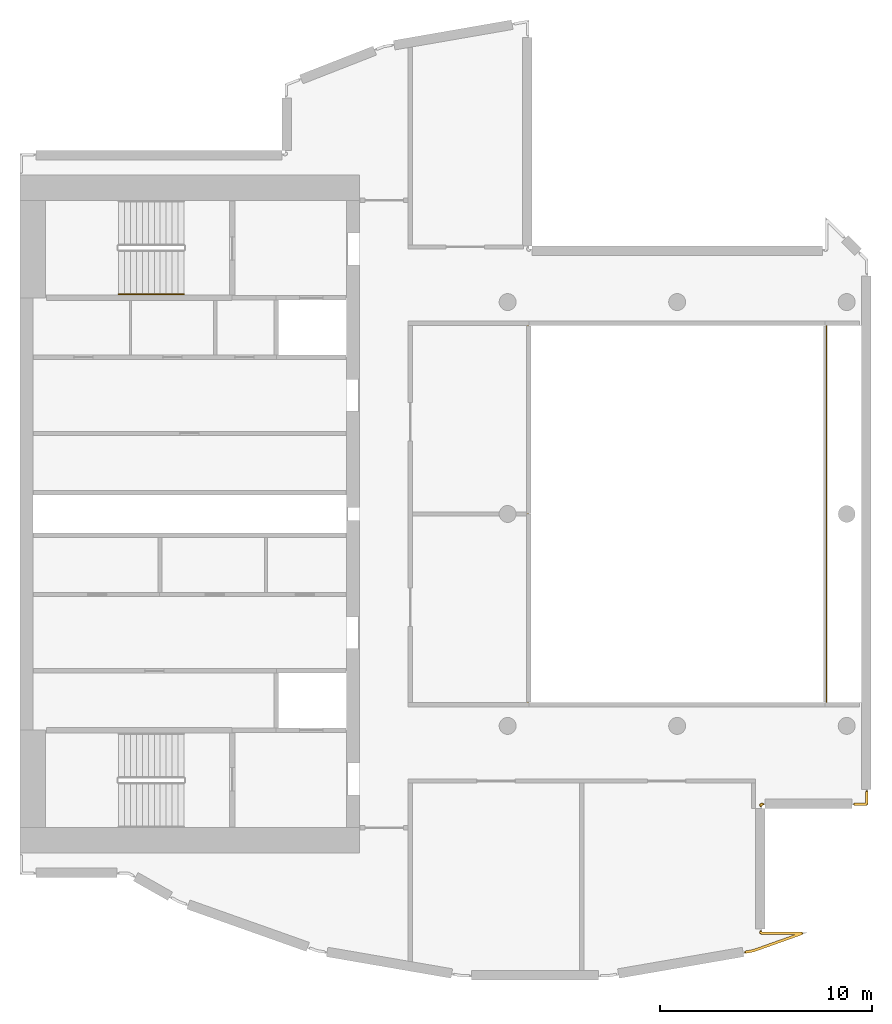
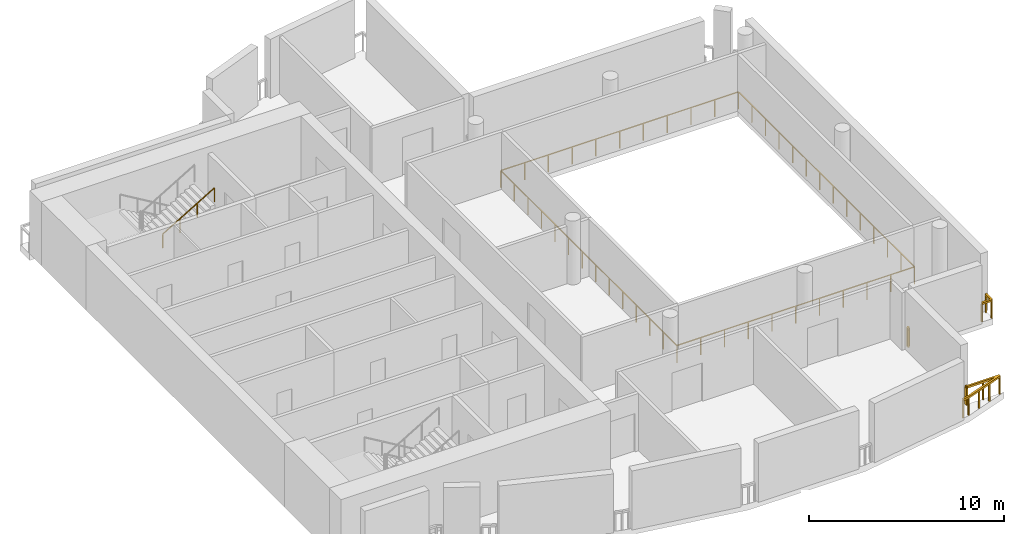
# One storey, part 6 of 8: 5 railings.
"""IFC4 building model written with IfcOpenShell, lengths in metres."""

from ifc_helpers import new_model, si_unit, direction, frame, origin, origin_2d, place, context, subcontext, project, spatial, rectangle, extrude, material, type_object, element, save


model = new_model("IFC4")

# Units and contexts
model_context = context("Model", 3, precision=1e-05, world=origin(), true_north=direction((0.0, 1.0)))
body_context = subcontext(model_context, "Body", "Model", "MODEL_VIEW")
ifc_project = project(units=[si_unit("LENGTHUNIT", "METRE"), si_unit("AREAUNIT", "SQUARE_METRE"), si_unit("VOLUMEUNIT", "CUBIC_METRE"), si_unit("PLANEANGLEUNIT", "RADIAN"), si_unit("MASSUNIT", "GRAM", prefix="KILO")], contexts=[model_context])

# Site, building, storey
site_placement = place(None, origin())
site = spatial("IfcSite", under=ifc_project, at=site_placement, CompositionType="ELEMENT")
building_placement = place(site_placement, origin())
building = spatial("IfcBuilding", under=site, at=building_placement, Name="Cypress Arch Tower", CompositionType="ELEMENT")
storey_placement = place(building_placement, frame((0.0, 0.0, 347.0)))
storey = spatial("IfcBuildingStorey", under=building, at=storey_placement, Name="L79", CompositionType="ELEMENT", Elevation=347.0)

# Railings
ifc_material_1 = material(Name="Stainless steel posts and handrail, laminated glass infill", Category="steel")
railing_type_1 = type_object("IfcRailingType", Name="Atrium guard GR1100A", PredefinedType="GUARDRAIL", material=ifc_material_1)
railing_1_placement = place(storey_placement, frame((8.050048828125, -9.050048828125, 0.0)))
element("IfcRailing", 1, at=railing_1_placement, inside=storey, type_object=railing_type_1, Name="Atrium guard L79", PredefinedType="GUARDRAIL", context=body_context, shape_type="SweptSolid", body=[
    extrude(rectangle(XDim=0.050048828125, YDim=0.050048828125, at=origin_2d()), frame((0.0, 0.0, 1.0751953125), z_axis=(-1.0, 0.0, 0.0), x_axis=(0.0, -1.0, 0.0)), (0.0, 0.0, 1.0), 14.10009765625),
    extrude(rectangle(XDim=0.050048828125, YDim=0.050048828125, at=origin_2d()), frame((-14.10009765625, 0.0, 1.0751953125), z_axis=(0.0, 1.0, 0.0), x_axis=(-1.0, 0.0, 0.0)), (0.0, 0.0, 1.0), 18.10009765625),
    extrude(rectangle(XDim=0.050048828125, YDim=0.050048828125, at=origin_2d()), frame((-14.10009765625, 18.10009765625, 1.0751953125), z_axis=(1.0, 0.0, 0.0), x_axis=(0.0, 1.0, 0.0)), (0.0, 0.0, 1.0), 14.10009765625),
    extrude(rectangle(XDim=0.050048828125, YDim=0.050048828125, at=origin_2d()), frame((0.0, 18.10009765625, 1.0751953125), z_axis=(0.0, -1.0, 0.0), x_axis=(1.0, 0.0, 0.0)), (0.0, 0.0, 1.0), 18.10009765625),
    extrude(rectangle(XDim=0.050048828125, YDim=0.050048828125, at=origin_2d()), origin(), (0.0, 0.0, 1.0), 1.050048828125),
    extrude(rectangle(XDim=0.050048828125, YDim=0.050048828125, at=origin_2d()), frame((-1.409912109375, 0.0, 0.0)), (0.0, 0.0, 1.0), 1.050048828125),
    extrude(rectangle(XDim=0.050048828125, YDim=0.050048828125, at=origin_2d()), frame((-2.820068359375, 0.0, 0.0)), (0.0, 0.0, 1.0), 1.050048828125),
    extrude(rectangle(XDim=0.050048828125, YDim=0.050048828125, at=origin_2d()), frame((-4.22998046875, 0.0, 0.0)), (0.0, 0.0, 1.0), 1.050048828125),
    extrude(rectangle(XDim=0.050048828125, YDim=0.050048828125, at=origin_2d()), frame((-5.64013671875, 0.0, 0.0)), (0.0, 0.0, 1.0), 1.050048828125),
    extrude(rectangle(XDim=0.050048828125, YDim=0.050048828125, at=origin_2d()), frame((-7.050048828125, 0.0, 0.0)), (0.0, 0.0, 1.0), 1.050048828125),
    extrude(rectangle(XDim=0.050048828125, YDim=0.050048828125, at=origin_2d()), frame((-8.4599609375, 0.0, 0.0)), (0.0, 0.0, 1.0), 1.050048828125),
    extrude(rectangle(XDim=0.050048828125, YDim=0.050048828125, at=origin_2d()), frame((-9.8701171875, 0.0, 0.0)), (0.0, 0.0, 1.0), 1.050048828125),
    extrude(rectangle(XDim=0.050048828125, YDim=0.050048828125, at=origin_2d()), frame((-11.280029296875, 0.0, 0.0)), (0.0, 0.0, 1.0), 1.050048828125),
    extrude(rectangle(XDim=0.050048828125, YDim=0.050048828125, at=origin_2d()), frame((-12.690185546875, 0.0, 0.0)), (0.0, 0.0, 1.0), 1.050048828125),
    extrude(rectangle(XDim=0.050048828125, YDim=0.050048828125, at=origin_2d()), frame((-14.10009765625, 0.0, 0.0)), (0.0, 0.0, 1.0), 1.050048828125),
    extrude(rectangle(XDim=0.050048828125, YDim=0.050048828125, at=origin_2d()), frame((-14.10009765625, 1.392333984375, 0.0)), (0.0, 0.0, 1.0), 1.050048828125),
    extrude(rectangle(XDim=0.050048828125, YDim=0.050048828125, at=origin_2d()), frame((-14.10009765625, 2.78466796875, 0.0)), (0.0, 0.0, 1.0), 1.050048828125),
    extrude(rectangle(XDim=0.050048828125, YDim=0.050048828125, at=origin_2d()), frame((-14.10009765625, 4.177001953125, 0.0)), (0.0, 0.0, 1.0), 1.050048828125),
    extrude(rectangle(XDim=0.050048828125, YDim=0.050048828125, at=origin_2d()), frame((-14.10009765625, 5.5693359375, 0.0)), (0.0, 0.0, 1.0), 1.050048828125),
    extrude(rectangle(XDim=0.050048828125, YDim=0.050048828125, at=origin_2d()), frame((-14.10009765625, 6.961669921875, 0.0)), (0.0, 0.0, 1.0), 1.050048828125),
    extrude(rectangle(XDim=0.050048828125, YDim=0.050048828125, at=origin_2d()), frame((-14.10009765625, 8.35400390625, 0.0)), (0.0, 0.0, 1.0), 1.050048828125),
    extrude(rectangle(XDim=0.050048828125, YDim=0.050048828125, at=origin_2d()), frame((-14.10009765625, 9.74609375, 0.0)), (0.0, 0.0, 1.0), 1.050048828125),
    extrude(rectangle(XDim=0.050048828125, YDim=0.050048828125, at=origin_2d()), frame((-14.10009765625, 11.138427734375, 0.0)), (0.0, 0.0, 1.0), 1.050048828125),
    extrude(rectangle(XDim=0.050048828125, YDim=0.050048828125, at=origin_2d()), frame((-14.10009765625, 12.53076171875, 0.0)), (0.0, 0.0, 1.0), 1.050048828125),
    extrude(rectangle(XDim=0.050048828125, YDim=0.050048828125, at=origin_2d()), frame((-14.10009765625, 13.923095703125, 0.0)), (0.0, 0.0, 1.0), 1.050048828125),
    extrude(rectangle(XDim=0.050048828125, YDim=0.050048828125, at=origin_2d()), frame((-14.10009765625, 15.3154296875, 0.0)), (0.0, 0.0, 1.0), 1.050048828125),
    extrude(rectangle(XDim=0.050048828125, YDim=0.050048828125, at=origin_2d()), frame((-14.10009765625, 16.707763671875, 0.0)), (0.0, 0.0, 1.0), 1.050048828125),
    extrude(rectangle(XDim=0.050048828125, YDim=0.050048828125, at=origin_2d()), frame((-14.10009765625, 18.10009765625, 0.0)), (0.0, 0.0, 1.0), 1.050048828125),
    extrude(rectangle(XDim=0.050048828125, YDim=0.050048828125, at=origin_2d()), frame((-12.690185546875, 18.10009765625, 0.0)), (0.0, 0.0, 1.0), 1.050048828125),
    extrude(rectangle(XDim=0.050048828125, YDim=0.050048828125, at=origin_2d()), frame((-11.280029296875, 18.10009765625, 0.0)), (0.0, 0.0, 1.0), 1.050048828125),
    extrude(rectangle(XDim=0.050048828125, YDim=0.050048828125, at=origin_2d()), frame((-9.8701171875, 18.10009765625, 0.0)), (0.0, 0.0, 1.0), 1.050048828125),
    extrude(rectangle(XDim=0.050048828125, YDim=0.050048828125, at=origin_2d()), frame((-8.4599609375, 18.10009765625, 0.0)), (0.0, 0.0, 1.0), 1.050048828125),
    extrude(rectangle(XDim=0.050048828125, YDim=0.050048828125, at=origin_2d()), frame((-7.050048828125, 18.10009765625, 0.0)), (0.0, 0.0, 1.0), 1.050048828125),
    extrude(rectangle(XDim=0.050048828125, YDim=0.050048828125, at=origin_2d()), frame((-5.64013671875, 18.10009765625, 0.0)), (0.0, 0.0, 1.0), 1.050048828125),
    extrude(rectangle(XDim=0.050048828125, YDim=0.050048828125, at=origin_2d()), frame((-4.22998046875, 18.10009765625, 0.0)), (0.0, 0.0, 1.0), 1.050048828125),
    extrude(rectangle(XDim=0.050048828125, YDim=0.050048828125, at=origin_2d()), frame((-2.820068359375, 18.10009765625, 0.0)), (0.0, 0.0, 1.0), 1.050048828125),
    extrude(rectangle(XDim=0.050048828125, YDim=0.050048828125, at=origin_2d()), frame((-1.409912109375, 18.10009765625, 0.0)), (0.0, 0.0, 1.0), 1.050048828125),
    extrude(rectangle(XDim=0.050048828125, YDim=0.050048828125, at=origin_2d()), frame((0.0, 18.10009765625, 0.0)), (0.0, 0.0, 1.0), 1.050048828125),
    extrude(rectangle(XDim=0.050048828125, YDim=0.050048828125, at=origin_2d()), frame((0.0, 16.707763671875, 0.0)), (0.0, 0.0, 1.0), 1.050048828125),
    extrude(rectangle(XDim=0.050048828125, YDim=0.050048828125, at=origin_2d()), frame((0.0, 15.3154296875, 0.0)), (0.0, 0.0, 1.0), 1.050048828125),
    extrude(rectangle(XDim=0.050048828125, YDim=0.050048828125, at=origin_2d()), frame((0.0, 13.923095703125, 0.0)), (0.0, 0.0, 1.0), 1.050048828125),
    extrude(rectangle(XDim=0.050048828125, YDim=0.050048828125, at=origin_2d()), frame((0.0, 12.53076171875, 0.0)), (0.0, 0.0, 1.0), 1.050048828125),
    extrude(rectangle(XDim=0.050048828125, YDim=0.050048828125, at=origin_2d()), frame((0.0, 11.138427734375, 0.0)), (0.0, 0.0, 1.0), 1.050048828125),
    extrude(rectangle(XDim=0.050048828125, YDim=0.050048828125, at=origin_2d()), frame((0.0, 9.74609375, 0.0)), (0.0, 0.0, 1.0), 1.050048828125),
    extrude(rectangle(XDim=0.050048828125, YDim=0.050048828125, at=origin_2d()), frame((0.0, 8.35400390625, 0.0)), (0.0, 0.0, 1.0), 1.050048828125),
    extrude(rectangle(XDim=0.050048828125, YDim=0.050048828125, at=origin_2d()), frame((0.0, 6.961669921875, 0.0)), (0.0, 0.0, 1.0), 1.050048828125),
    extrude(rectangle(XDim=0.050048828125, YDim=0.050048828125, at=origin_2d()), frame((0.0, 5.5693359375, 0.0)), (0.0, 0.0, 1.0), 1.050048828125),
    extrude(rectangle(XDim=0.050048828125, YDim=0.050048828125, at=origin_2d()), frame((0.0, 4.177001953125, 0.0)), (0.0, 0.0, 1.0), 1.050048828125),
    extrude(rectangle(XDim=0.050048828125, YDim=0.050048828125, at=origin_2d()), frame((0.0, 2.78466796875, 0.0)), (0.0, 0.0, 1.0), 1.050048828125),
    extrude(rectangle(XDim=0.050048828125, YDim=0.050048828125, at=origin_2d()), frame((0.0, 1.392333984375, 0.0)), (0.0, 0.0, 1.0), 1.050048828125),
])
ifc_material_2 = material(Name="Stainless steel posts and handrail, laminated glass infill", Category="steel")
railing_type_2 = type_object("IfcRailingType", Name="Deck guard GR1200D", PredefinedType="GUARDRAIL", material=ifc_material_2)
railing_2_placement = place(storey_placement, frame((4.949951171875, -19.68994140625, 0.0)))
element("IfcRailing", 2, at=railing_2_placement, inside=storey, type_object=railing_type_2, Name="Crown edge guard L79 13", PredefinedType="GUARDRAIL", context=body_context, shape_type="SweptSolid", body=[
    extrude(rectangle(XDim=0.1201171875, YDim=0.1201171875, at=origin_2d()), frame((0.0, 0.0, 1.139892578125), z_axis=(0.0, -1.0, 0.0), x_axis=(1.0, 0.0, 0.0)), (0.0, 0.0, 1.0), 0.10009765625),
    extrude(rectangle(XDim=0.1201171875, YDim=0.1201171875, at=origin_2d()), frame((0.0, -0.10009765625, 1.139892578125), z_axis=(1.0, 0.0, 0.0), x_axis=(0.0, 1.0, 0.0)), (0.0, 0.0, 1.0), 1.949951171875),
    extrude(rectangle(XDim=0.1201171875, YDim=0.1201171875, at=origin_2d()), frame((1.949951171875, -0.10009765625, 1.139892578125), z_axis=(-0.942303280512, -0.33476040318, 0.0), x_axis=(0.33476040318, -0.942303280512, 0.0)), (0.0, 0.0, 1.0), 2.4541015625),
    extrude(rectangle(XDim=0.1201171875, YDim=0.1201171875, at=origin_2d()), frame((-0.362548828125, -0.921630859375, 1.139892578125), z_axis=(-0.9854712993, -0.169842039132, 0.0), x_axis=(0.169842039132, -0.9854712993, 0.0)), (0.0, 0.0, 1.0), 0.3779296875),
    extrude(rectangle(XDim=0.080078125, YDim=0.080078125, at=origin_2d()), origin(), (0.0, 0.0, 1.0), 1.079833984375),
    extrude(rectangle(XDim=0.080078125, YDim=0.080078125, at=origin_2d()), frame((0.0, -0.10009765625, 0.0)), (0.0, 0.0, 1.0), 1.079833984375),
    extrude(rectangle(XDim=0.080078125, YDim=0.080078125, at=origin_2d()), frame((0.97509765625, -0.10009765625, 0.0)), (0.0, 0.0, 1.0), 1.079833984375),
    extrude(rectangle(XDim=0.080078125, YDim=0.080078125, at=origin_2d()), frame((1.949951171875, -0.10009765625, 0.0)), (0.0, 0.0, 1.0), 1.079833984375),
    extrude(rectangle(XDim=0.080078125, YDim=0.080078125, at=origin_2d()), frame((1.17919921875, -0.3740234375, 0.0)), (0.0, 0.0, 1.0), 1.079833984375),
    extrude(rectangle(XDim=0.080078125, YDim=0.080078125, at=origin_2d()), frame((0.408203125, -0.647705078125, 0.0)), (0.0, 0.0, 1.0), 1.079833984375),
    extrude(rectangle(XDim=0.080078125, YDim=0.080078125, at=origin_2d()), frame((-0.362548828125, -0.921630859375, 0.0)), (0.0, 0.0, 1.0), 1.079833984375),
    extrude(rectangle(XDim=0.080078125, YDim=0.080078125, at=origin_2d()), frame((-0.735107421875, -0.98583984375, 0.0)), (0.0, 0.0, 1.0), 1.079833984375),
])
railing_3_placement = place(storey_placement, frame((5.050048828125, -13.68994140625, 0.0)))
element("IfcRailing", 3, at=railing_3_placement, inside=storey, type_object=railing_type_2, Name="Crown edge guard L79 14", PredefinedType="GUARDRAIL", context=body_context, shape_type="SweptSolid", body=[
    extrude(rectangle(XDim=0.1201171875, YDim=0.1201171875, at=origin_2d()), frame((0.0, 0.0, 1.139892578125), z_axis=(-1.0, 0.0, 0.0), x_axis=(0.0, -1.0, 0.0)), (0.0, 0.0, 1.0), 0.10009765625),
    extrude(rectangle(XDim=0.1201171875, YDim=0.1201171875, at=origin_2d()), frame((-0.10009765625, 0.0, 1.139892578125), z_axis=(0.0, -1.0, 0.0), x_axis=(1.0, 0.0, 0.0)), (0.0, 0.0, 1.0), 0.10009765625),
    extrude(rectangle(XDim=0.080078125, YDim=0.080078125, at=origin_2d()), origin(), (0.0, 0.0, 1.0), 1.079833984375),
    extrude(rectangle(XDim=0.080078125, YDim=0.080078125, at=origin_2d()), frame((-0.10009765625, 0.0, 0.0)), (0.0, 0.0, 1.0), 1.079833984375),
    extrude(rectangle(XDim=0.080078125, YDim=0.080078125, at=origin_2d()), frame((-0.10009765625, -0.10009765625, 0.0)), (0.0, 0.0, 1.0), 1.079833984375),
])
railing_4_placement = place(storey_placement, frame((9.949951171875, -13.090087890625, 0.0)))
element("IfcRailing", 4, at=railing_4_placement, inside=storey, type_object=railing_type_2, Name="Crown edge guard L79 16", PredefinedType="GUARDRAIL", context=body_context, shape_type="SweptSolid", body=[
    extrude(rectangle(XDim=0.1201171875, YDim=0.1201171875, at=origin_2d()), frame((0.0, 0.0, 1.139892578125), z_axis=(0.0, -1.0, 0.0), x_axis=(1.0, 0.0, 0.0)), (0.0, 0.0, 1.0), 0.599853515625),
    extrude(rectangle(XDim=0.1201171875, YDim=0.1201171875, at=origin_2d()), frame((0.0, -0.599853515625, 1.139892578125), z_axis=(-1.0, 0.0, 0.0), x_axis=(0.0, -1.0, 0.0)), (0.0, 0.0, 1.0), 0.599853515625),
    extrude(rectangle(XDim=0.080078125, YDim=0.080078125, at=origin_2d()), origin(), (0.0, 0.0, 1.0), 1.079833984375),
    extrude(rectangle(XDim=0.080078125, YDim=0.080078125, at=origin_2d()), frame((0.0, -0.599853515625, 0.0)), (0.0, 0.0, 1.0), 1.079833984375),
    extrude(rectangle(XDim=0.080078125, YDim=0.080078125, at=origin_2d()), frame((-0.599853515625, -0.599853515625, 0.0)), (0.0, 0.0, 1.0), 1.079833984375),
])
ifc_material_3 = material(Name="Black powder-coated steel square bar 48 mm", Category="steel")
railing_type_3 = type_object("IfcRailingType", Name="Stair handrail HR1", PredefinedType="HANDRAIL", material=ifc_material_3)
railing_5_placement = place(storey_placement, frame((-25.35498046875, 10.375, 2.166748046875)))
element("IfcRailing", 5, at=railing_5_placement, inside=storey, type_object=railing_type_3, Name="L79 B stair handrail 2", PredefinedType="HANDRAIL", context=body_context, shape_type="SweptSolid", body=[
    extrude(rectangle(XDim=0.048095703125, YDim=0.048095703125, at=origin_2d()), frame((0.0, 0.0, 0.8759765625), z_axis=(0.859308565015, 0.0, 0.511457515432), x_axis=(0.0, 1.0, 0.0)), (0.0, 0.0, 1.0), 3.58447265625),
    extrude(rectangle(XDim=0.0419921875, YDim=0.0419921875, at=origin_2d()), origin(), (0.0, 0.0, 1.0), 0.851806640625),
    extrude(rectangle(XDim=0.0419921875, YDim=0.0419921875, at=origin_2d()), frame((1.026611328125, 0.0, 0.611083984375)), (0.0, 0.0, 1.0), 0.851806640625),
    extrude(rectangle(XDim=0.0419921875, YDim=0.0419921875, at=origin_2d()), frame((2.053466796875, 0.0, 1.22216796875)), (0.0, 0.0, 1.0), 0.851806640625),
    extrude(rectangle(XDim=0.0419921875, YDim=0.0419921875, at=origin_2d()), frame((3.080078125, 0.0, 1.833251953125)), (0.0, 0.0, 1.0), 0.851806640625),
])

save(model, "model.ifc")
